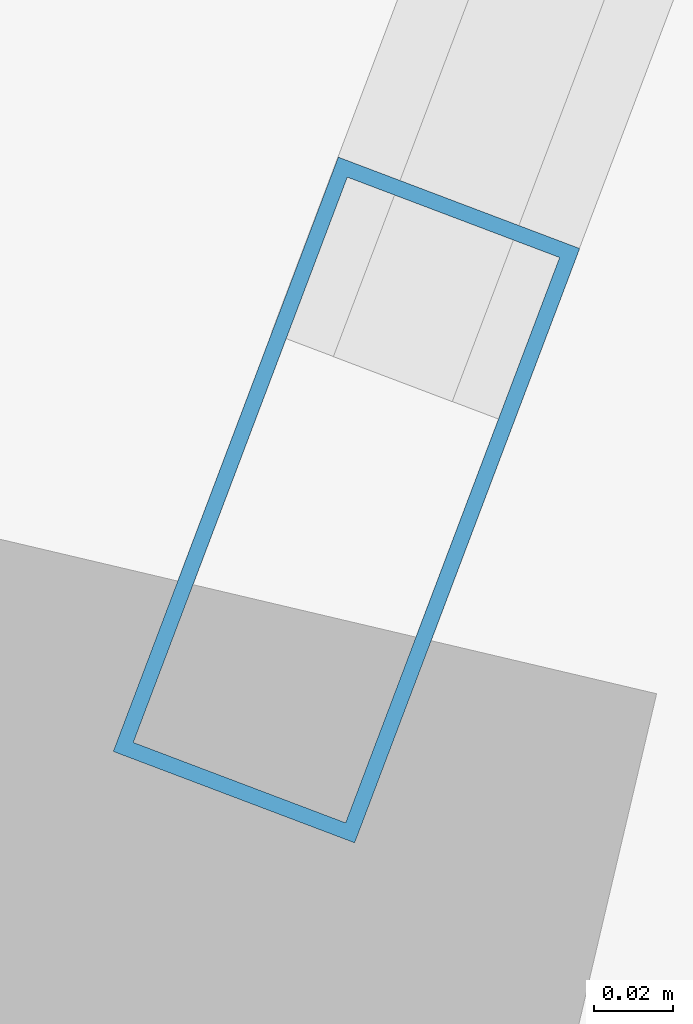
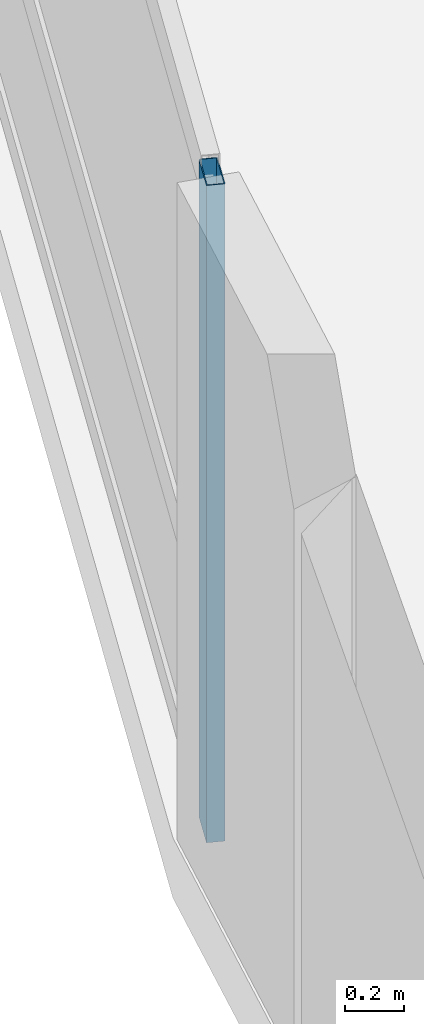
# One storey, part 2 of 24: 1 member, 1 element without a shape of its own.
"""IFC4 building model written with IfcOpenShell, lengths in metres."""

from ifc_helpers import new_model, si_unit, direction, frame, origin, origin_2d, place, context, subcontext, project, spatial, hollow_rectangle, extrude, material, layer, layer_set, material_profile, profile_set, type_object, element, aggregate, save


model = new_model("IFC4")

# Units and contexts
model_context = context("Model", 3, precision=1e-05, world=origin(), true_north=direction((0.0, 1.0)))
body_context = subcontext(model_context, "Body", "Model", "MODEL_VIEW")
ifc_project = project(units=[si_unit("LENGTHUNIT", "METRE"), si_unit("AREAUNIT", "SQUARE_METRE"), si_unit("VOLUMEUNIT", "CUBIC_METRE"), si_unit("PLANEANGLEUNIT", "RADIAN"), si_unit("MASSUNIT", "GRAM", prefix="KILO")], contexts=[model_context])

# Site, building, storey
site_placement = place(None, origin())
site = spatial("IfcSite", under=ifc_project, at=site_placement, CompositionType="ELEMENT")
building_placement = place(site_placement, origin())
building = spatial("IfcBuilding", under=site, at=building_placement, Name="Varnelok Gate Tower", CompositionType="ELEMENT")
storey_placement = place(building_placement, frame((0.0, 0.0, 87.300048828125)))
storey = spatial("IfcBuildingStorey", under=building, at=storey_placement, Name="L21", CompositionType="ELEMENT", Elevation=87.300048828125)

# Curtain wall, member
ifc_material = material(Name="Anodized Aluminum Alloy 6063-T6", Category="aluminium")
ifc_layer = layer(ifc_material, 0.179931640625)
ifc_layer_set = layer_set([ifc_layer], Name="Anodized Aluminum Alloy 6063-T6")
curtain_wall_type = type_object("IfcCurtainWallType", Name="CW3-HOTEL-VISION", PredefinedType="USERDEFINED", material=ifc_layer_set)
curtain_wall_placement = place(storey_placement, origin())
curtain_wall = element("IfcCurtainWall", 1, at=curtain_wall_placement, inside=storey, type_object=curtain_wall_type, Name="L21 West End Vision Curtain Wall", ObjectType="UNITISED CURTAIN WALL", PredefinedType="USERDEFINED")
ifc_material_profile = material_profile(ifc_material, hollow_rectangle(XDim=0.06494140625, YDim=0.159912109375, WallThickness=0.00390625, at=origin_2d()), Name="ALU160X65X4")
ifc_profile_set = profile_set([ifc_material_profile], Name="Anodized Aluminum Alloy 6063-T6")
member_type = type_object("IfcMemberType", Name="CW-MULL-160", PredefinedType="MULLION", material=ifc_profile_set)
member_placement = place(storey_placement, frame((-2.04345703125, 21.59521484375, 0.0), z_axis=(0.0, 0.0, 1.0), x_axis=(-0.935221323688, 0.354063660545, 0.0)))
member = element("IfcMember", 2, at=member_placement, type_object=member_type, Name="CW3 mullion 1", PredefinedType="MULLION", context=body_context, shape_type="SweptSolid", body=[
    extrude(hollow_rectangle(XDim=0.06494140625, YDim=0.159912109375, WallThickness=0.00390625, at=origin_2d()), origin(), (0.0, 0.0, 1.0), 2.72998046875),
])
aggregate(curtain_wall, [member])

save(model, "model.ifc")
